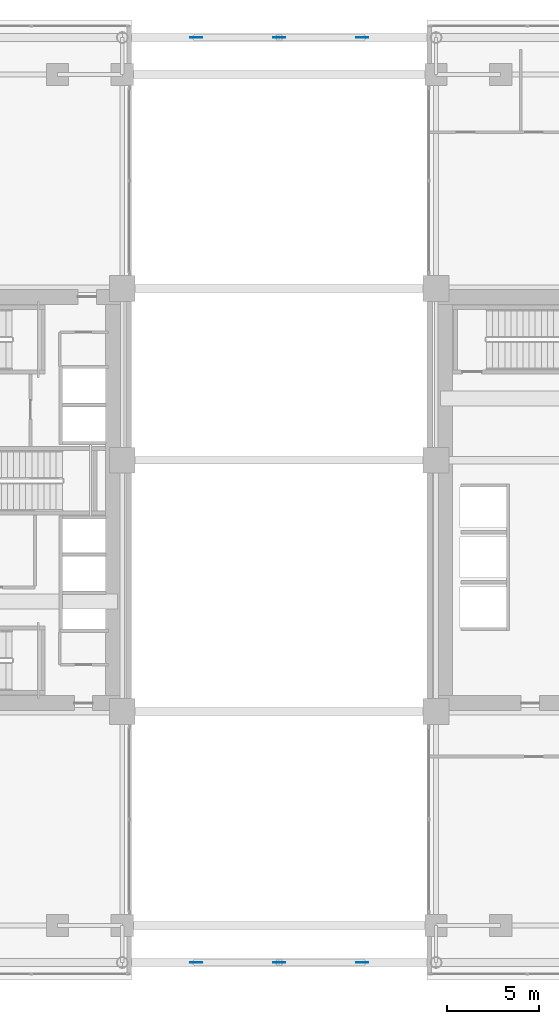
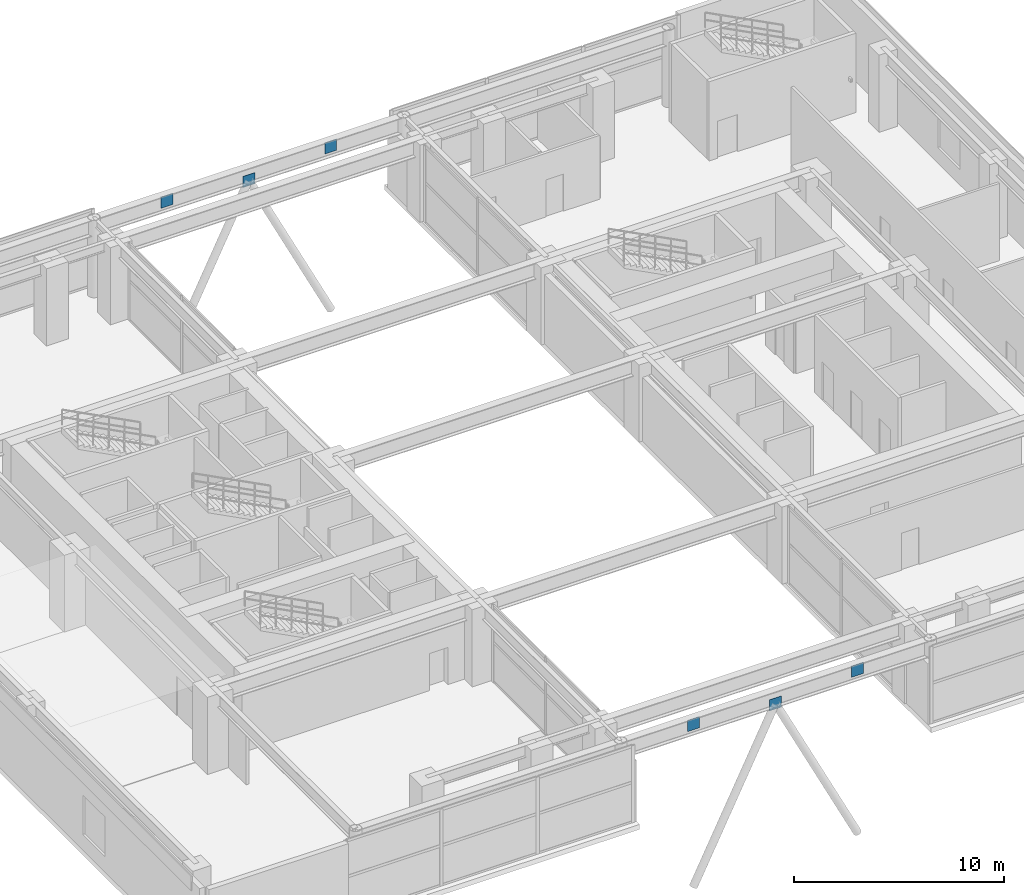
# One storey, part 21 of 30: 6 plates.
"""IFC4 building model written with IfcOpenShell, lengths in metres."""

from ifc_helpers import new_model, si_unit, direction, frame, origin, origin_2d, place, context, subcontext, project, spatial, rectangle, extrude, source, transform, mapped, material, layer, layer_set, type_object, element, save


model = new_model("IFC4")

# Units and contexts
model_context = context("Model", 3, precision=1e-05, world=origin(), true_north=direction((0.0, 1.0)))
body_context = subcontext(model_context, "Body", "Model", "MODEL_VIEW")
ifc_project = project(units=[si_unit("LENGTHUNIT", "METRE"), si_unit("AREAUNIT", "SQUARE_METRE"), si_unit("VOLUMEUNIT", "CUBIC_METRE"), si_unit("PLANEANGLEUNIT", "RADIAN"), si_unit("MASSUNIT", "GRAM", prefix="KILO")], contexts=[model_context])

# Site, building, storey
site_placement = place(None, origin())
site = spatial("IfcSite", under=ifc_project, at=site_placement, CompositionType="ELEMENT")
building_placement = place(site_placement, origin())
building = spatial("IfcBuilding", under=site, at=building_placement, Name="Ocotamira Hotel", CompositionType="ELEMENT")
storey_placement = place(building_placement, frame((0.0, 0.0, 19.199951171875)))
storey = spatial("IfcBuildingStorey", under=building, at=storey_placement, Name="L04", CompositionType="ELEMENT", Elevation=19.199951171875)

# Plates
ifc_material = material(Name="Pale-metal coated steel ASTM A572 Grade 50", Category="steel")
ifc_layer = layer(ifc_material, 0.0400390625)
ifc_layer_set = layer_set([ifc_layer], Name="Pale-metal coated steel ASTM A572 Grade 50")
plate_type = type_object("IfcPlateType", Name="PLT-GUSSET-40", PredefinedType="SHEET", material=ifc_layer_set)
shared_shape = source(origin(), body_context, "Body", "SweptSolid", [
    extrude(rectangle(XDim=0.64990234375, YDim=0.0400390625, at=origin_2d()), origin(), (0.0, 0.0, 1.0), 0.64990234375),
])
for number, where, z_axis, x_axis, name in (
    (1, (32.0, 0.949951171875, 3.3251953125), (0.0, 0.0, 1.0), (1.0, 0.0, 0.0), "L04 Giant Portal Arch Rib S2 End Gusset B"),
    (2, (27.5, 0.949951171875, 3.705078125), (0.0, 0.0, 1.0), (1.0, 0.0, 0.0), "L04 Portal Arch Spandrel Strut S1 End Gusset B"),
    (3, (36.5, 0.949951171875, 3.705078125), (0.0, 0.0, 1.0), (1.0, 0.0, 0.0), "L04 Portal Arch Spandrel Strut S2 End Gusset B"),
    (4, (32.0, 51.050048828125, 3.3251953125), (0.0, 0.0, 1.0), (1.0, 0.0, 0.0), "L04 Giant Portal Arch Rib N2 End Gusset B"),
    (5, (27.5, 51.050048828125, 3.705078125), (0.0, 0.0, 1.0), (1.0, 0.0, 0.0), "L04 Portal Arch Spandrel Strut N1 End Gusset B"),
    (6, (36.5, 51.050048828125, 3.705078125), (0.0, 0.0, 1.0), (1.0, 0.0, 0.0), "L04 Portal Arch Spandrel Strut N2 End Gusset B"),
):
    element("IfcPlate", number, at=place(storey_placement, frame(where, z_axis=z_axis, x_axis=x_axis)), inside=storey, type_object=plate_type, Name=name, PredefinedType="SHEET", context=body_context, shape_type="MappedRepresentation", body=[
        mapped(shared_shape, transform((0.0, 0.0, 0.0), scale=1.0)),
    ])

save(model, "model.ifc")
